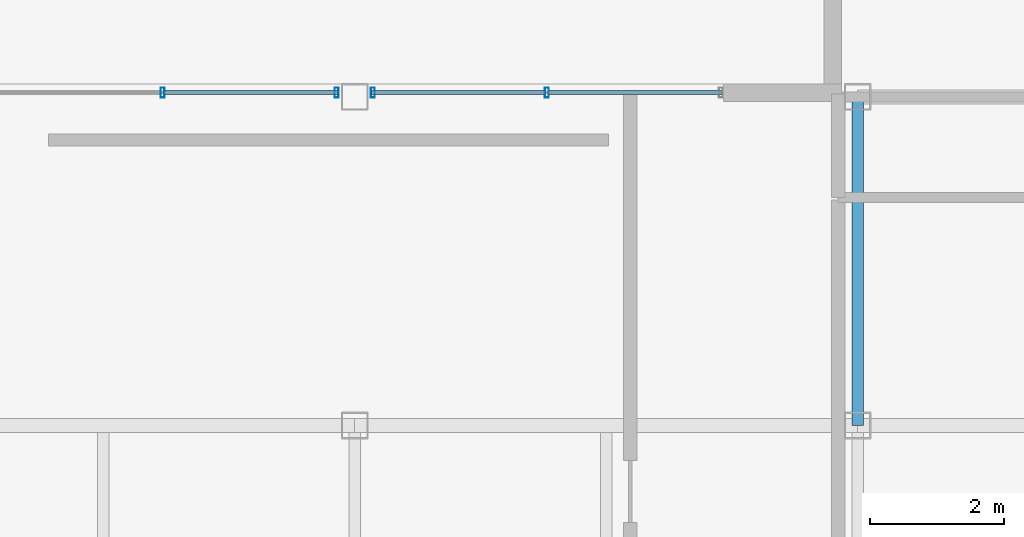
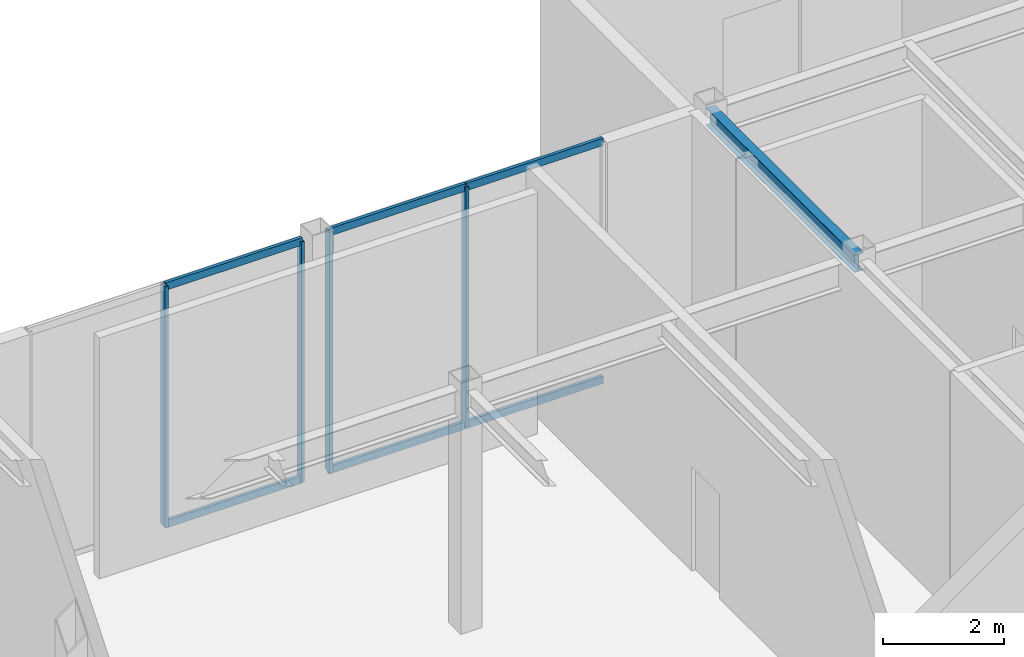
# One storey, part 4 of 11: 10 members, 1 beam, 2 elements without a shape of their own.
"""IFC4 building model written with IfcOpenShell, lengths in metres."""

from ifc_helpers import new_model, si_unit, direction, frame, origin, origin_2d, place, context, subcontext, project, spatial, hollow_rectangle, i_section, extrude, material, material_profile, profile_set, type_object, element, aggregate, save


model = new_model("IFC4")

# Units and contexts
model_context = context("Model", 3, precision=1e-05, world=origin(), true_north=direction((0.0, 1.0)))
body_context = subcontext(model_context, "Body", "Model", "MODEL_VIEW")
ifc_project = project(units=[si_unit("LENGTHUNIT", "METRE"), si_unit("AREAUNIT", "SQUARE_METRE"), si_unit("VOLUMEUNIT", "CUBIC_METRE"), si_unit("PLANEANGLEUNIT", "RADIAN"), si_unit("MASSUNIT", "GRAM", prefix="KILO")], contexts=[model_context])

# Site, building, storey
site_placement = place(None, origin())
site = spatial("IfcSite", under=ifc_project, at=site_placement, CompositionType="ELEMENT")
building_placement = place(site_placement, origin())
building = spatial("IfcBuilding", under=site, at=building_placement, Name="Ventersveld Concourse Tower", CompositionType="ELEMENT")
storey_placement = place(building_placement, frame((0.0, 0.0, 308.0)))
storey = spatial("IfcBuildingStorey", under=building, at=storey_placement, Name="L76", CompositionType="ELEMENT", Elevation=308.0)

# Beam
ifc_material_1 = material(Name="Structural steel S355J2", Category="steel")
ifc_material_profile_1 = material_profile(ifc_material_1, i_section(OverallWidth=0.17138671875, OverallDepth=0.35498046875, WebThickness=0.00732421875, FlangeThickness=0.011474609375, FilletRadius=0.01025390625, at=origin_2d()), Name="UB 356x171x51")
ifc_profile_set_1 = profile_set([ifc_material_profile_1], Name="Structural steel S355J2")
beam_type = type_object("IfcBeamType", Name="BM-UB356", PredefinedType="BEAM", material=ifc_profile_set_1)
beam_placement = place(storey_placement, frame((36.25, 23.60009765625, 4.672607421875), z_axis=(0.0, 1.0, 0.0), x_axis=(-1.0, 0.0, 0.0)))
element("IfcBeam", 1, at=beam_placement, inside=storey, type_object=beam_type, Name="L76 N-S Upper-Zone Floor Beam X=36.25", PredefinedType="BEAM", context=body_context, shape_type="SweptSolid", body=[
    extrude(i_section(OverallWidth=0.17138671875, OverallDepth=0.35498046875, WebThickness=0.00732421875, FlangeThickness=0.011474609375, FilletRadius=0.01025390625, at=origin_2d()), origin(), (0.0, 0.0, 1.0), 4.89990234375),
])

# Curtain wall, members
ifc_material_2 = material(Name="Anodised aluminium EN AW-6063-T6", Category="aluminium")
curtain_wall_type = type_object("IfcCurtainWallType", Name="CW-SG-4", PredefinedType="NOTDEFINED", material=ifc_material_2)
curtain_wall_1_placement = place(storey_placement, origin())
curtain_wall_1 = element("IfcCurtainWall", 2, at=curtain_wall_1_placement, inside=storey, type_object=curtain_wall_type, Name="L76 L76 Sky Garden Recessed Curtain Wall", PredefinedType="NOTDEFINED")
ifc_material_profile_2 = material_profile(ifc_material_2, hollow_rectangle(XDim=0.06005859375, YDim=0.14990234375, WallThickness=0.00390625, at=origin_2d()), Name="ALU 150x60x4")
ifc_profile_set_2 = profile_set([ifc_material_profile_2], Name="Anodised aluminium EN AW-6063-T6")
member_type_1 = type_object("IfcMemberType", Name="CWM-150x65", PredefinedType="MULLION", material=ifc_profile_set_2)
member_1_placement = place(storey_placement, frame((25.885009765625, 28.56298828125, 0.0), z_axis=(0.0, 0.0, 1.0), x_axis=(1.0, 0.0, 0.0)))
member_1 = element("IfcMember", 3, at=member_1_placement, type_object=member_type_1, Name="CW-L76-SG-S1 Mullion 02", PredefinedType="MULLION", context=body_context, shape_type="SweptSolid", body=[
    extrude(hollow_rectangle(XDim=0.06005859375, YDim=0.14990234375, WallThickness=0.00390625, at=origin_2d()), origin(), (0.0, 0.0, 1.0), 4.85009765625),
])
member_2_placement = place(storey_placement, frame((28.47998046875, 28.56298828125, 0.0), z_axis=(0.0, 0.0, 1.0), x_axis=(1.0, 0.0, 0.0)))
member_2 = element("IfcMember", 4, at=member_2_placement, type_object=member_type_1, Name="CW-L76-SG-S1 Mullion 03", PredefinedType="MULLION", context=body_context, shape_type="SweptSolid", body=[
    extrude(hollow_rectangle(XDim=0.06005859375, YDim=0.14990234375, WallThickness=0.00390625, at=origin_2d()), origin(), (0.0, 0.0, 1.0), 4.85009765625),
])

curtain_wall_2_placement = place(storey_placement, origin())
curtain_wall_2 = element("IfcCurtainWall", 5, at=curtain_wall_2_placement, inside=storey, type_object=curtain_wall_type, Name="L76 L76 Sky Garden Recessed Curtain Wall", PredefinedType="NOTDEFINED")
member_3_placement = place(storey_placement, frame((29.02001953125, 28.56298828125, 0.0), z_axis=(0.0, 0.0, 1.0), x_axis=(1.0, 0.0, 0.0)))
member_3 = element("IfcMember", 6, at=member_3_placement, type_object=member_type_1, Name="CW-L76-SG-S2 Mullion 01", PredefinedType="MULLION", context=body_context, shape_type="SweptSolid", body=[
    extrude(hollow_rectangle(XDim=0.06005859375, YDim=0.14990234375, WallThickness=0.00390625, at=origin_2d()), origin(), (0.0, 0.0, 1.0), 4.85009765625),
])
member_4_placement = place(storey_placement, frame((31.614990234375, 28.56298828125, 0.0), z_axis=(0.0, 0.0, 1.0), x_axis=(1.0, 0.0, 0.0)))
member_4 = element("IfcMember", 7, at=member_4_placement, type_object=member_type_1, Name="CW-L76-SG-S2 Mullion 02", PredefinedType="MULLION", context=body_context, shape_type="SweptSolid", body=[
    extrude(hollow_rectangle(XDim=0.06005859375, YDim=0.14990234375, WallThickness=0.00390625, at=origin_2d()), origin(), (0.0, 0.0, 1.0), 4.85009765625),
])

# Member
ifc_material_profile_3 = material_profile(ifc_material_2, hollow_rectangle(XDim=0.06005859375, YDim=0.14990234375, WallThickness=0.00390625, at=origin_2d()), Name="ALU 150x60x4")
ifc_profile_set_3 = profile_set([ifc_material_profile_3], Name="Anodised aluminium EN AW-6063-T6")
member_type_2 = type_object("IfcMemberType", Name="CWT-150x60", PredefinedType="USERDEFINED", material=ifc_profile_set_3)
member_5_placement = place(storey_placement, frame((25.89501953125, 28.56298828125, 0.030029296875), z_axis=(1.0, 0.0, 0.0), x_axis=(0.0, 1.0, 0.0)))
member_5 = element("IfcMember", 8, at=member_5_placement, type_object=member_type_2, Name="CW-L76-SG-S1 Transom 1-02", ObjectType="TRANSOM", PredefinedType="USERDEFINED", context=body_context, shape_type="SweptSolid", body=[
    extrude(hollow_rectangle(XDim=0.06005859375, YDim=0.14990234375, WallThickness=0.00390625, at=origin_2d()), origin(), (0.0, 0.0, 1.0), 2.60498046875),
])

member_6_placement = place(storey_placement, frame((25.89501953125, 28.56298828125, 4.820068359375), z_axis=(1.0, 0.0, 0.0), x_axis=(0.0, 1.0, 0.0)))
member_6 = element("IfcMember", 9, at=member_6_placement, type_object=member_type_2, Name="CW-L76-SG-S1 Transom 2-02", ObjectType="TRANSOM", PredefinedType="USERDEFINED", context=body_context, shape_type="SweptSolid", body=[
    extrude(hollow_rectangle(XDim=0.06005859375, YDim=0.14990234375, WallThickness=0.00390625, at=origin_2d()), origin(), (0.0, 0.0, 1.0), 2.60498046875),
])

aggregate(curtain_wall_1, [member_1, member_2, member_5, member_6])

member_7_placement = place(storey_placement, frame((29.0, 28.56298828125, 0.030029296875), z_axis=(1.0, 0.0, 0.0), x_axis=(0.0, 1.0, 0.0)))
member_7 = element("IfcMember", 10, at=member_7_placement, type_object=member_type_2, Name="CW-L76-SG-S2 Transom 1-01", ObjectType="TRANSOM", PredefinedType="USERDEFINED", context=body_context, shape_type="SweptSolid", body=[
    extrude(hollow_rectangle(XDim=0.06005859375, YDim=0.14990234375, WallThickness=0.00390625, at=origin_2d()), origin(), (0.0, 0.0, 1.0), 2.60498046875),
])

member_8_placement = place(storey_placement, frame((31.625, 28.56298828125, 0.030029296875), z_axis=(1.0, 0.0, 0.0), x_axis=(0.0, 1.0, 0.0)))
member_8 = element("IfcMember", 11, at=member_8_placement, type_object=member_type_2, Name="CW-L76-SG-S2 Transom 1-02", ObjectType="TRANSOM", PredefinedType="USERDEFINED", context=body_context, shape_type="SweptSolid", body=[
    extrude(hollow_rectangle(XDim=0.06005859375, YDim=0.14990234375, WallThickness=0.00390625, at=origin_2d()), origin(), (0.0, 0.0, 1.0), 2.60498046875),
])

member_9_placement = place(storey_placement, frame((29.0, 28.56298828125, 4.820068359375), z_axis=(1.0, 0.0, 0.0), x_axis=(0.0, 1.0, 0.0)))
member_9 = element("IfcMember", 12, at=member_9_placement, type_object=member_type_2, Name="CW-L76-SG-S2 Transom 2-01", ObjectType="TRANSOM", PredefinedType="USERDEFINED", context=body_context, shape_type="SweptSolid", body=[
    extrude(hollow_rectangle(XDim=0.06005859375, YDim=0.14990234375, WallThickness=0.00390625, at=origin_2d()), origin(), (0.0, 0.0, 1.0), 2.60498046875),
])

member_10_placement = place(storey_placement, frame((31.625, 28.56298828125, 4.820068359375), z_axis=(1.0, 0.0, 0.0), x_axis=(0.0, 1.0, 0.0)))
member_10 = element("IfcMember", 13, at=member_10_placement, type_object=member_type_2, Name="CW-L76-SG-S2 Transom 2-02", ObjectType="TRANSOM", PredefinedType="USERDEFINED", context=body_context, shape_type="SweptSolid", body=[
    extrude(hollow_rectangle(XDim=0.06005859375, YDim=0.14990234375, WallThickness=0.00390625, at=origin_2d()), origin(), (0.0, 0.0, 1.0), 2.60498046875),
])

aggregate(curtain_wall_2, [member_3, member_4, member_7, member_8, member_9, member_10])

save(model, "model.ifc")
